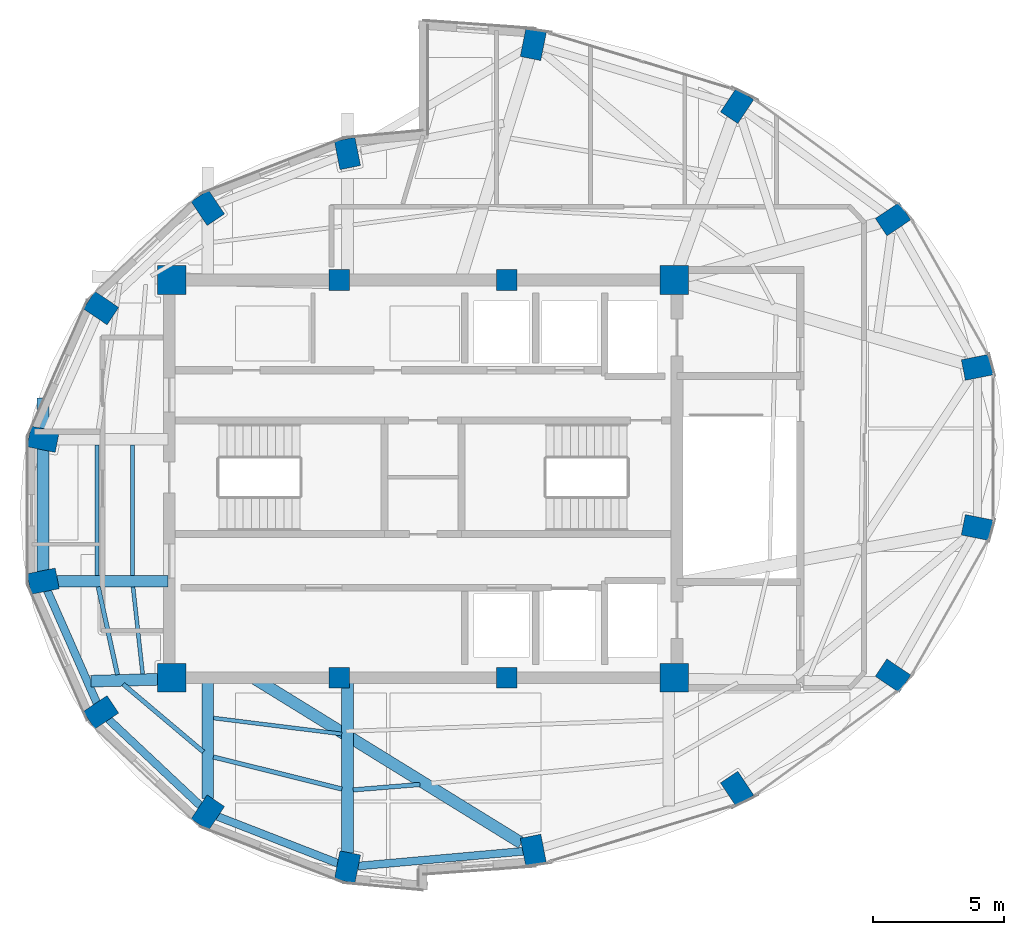
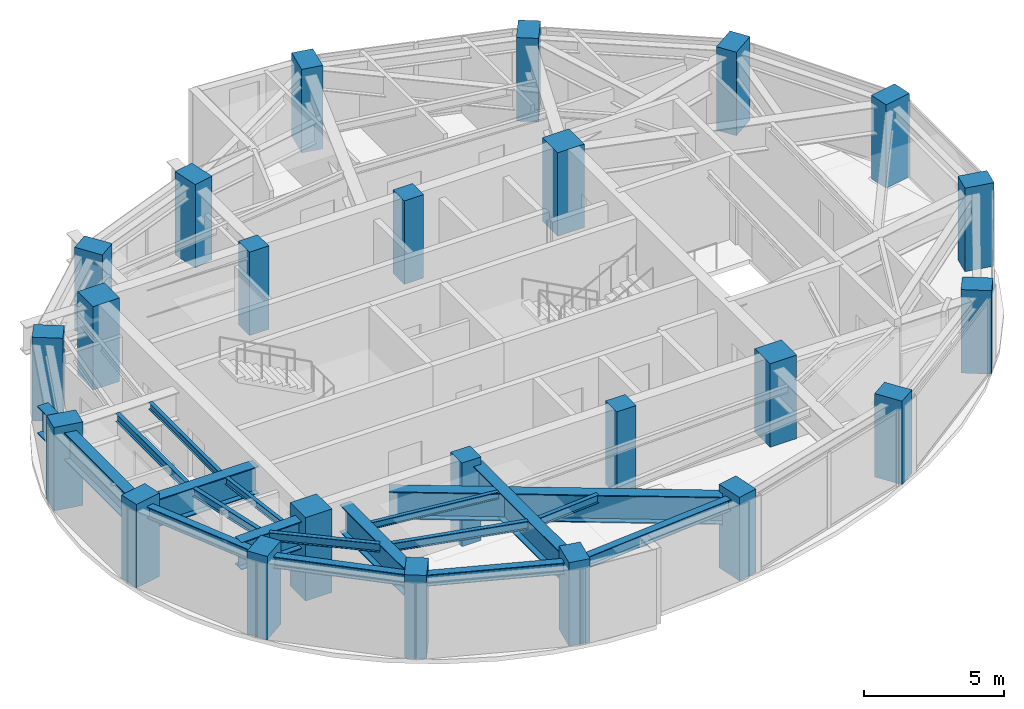
# One storey, part 1 of 13: 24 columns, 18 beams.
"""IFC4 building model written with IfcOpenShell, lengths in metres."""

from ifc_helpers import new_model, si_unit, direction, frame, origin, origin_2d, place, context, subcontext, project, spatial, rectangle, i_section, extrude, material, material_profile, profile_set, type_object, element, save


model = new_model("IFC4")

# Units and contexts
model_context = context("Model", 3, precision=1e-05, world=origin(), true_north=direction((0.0, 1.0)))
body_context = subcontext(model_context, "Body", "Model", "MODEL_VIEW")
ifc_project = project(units=[si_unit("LENGTHUNIT", "METRE"), si_unit("AREAUNIT", "SQUARE_METRE"), si_unit("VOLUMEUNIT", "CUBIC_METRE"), si_unit("PLANEANGLEUNIT", "RADIAN"), si_unit("MASSUNIT", "GRAM", prefix="KILO")], contexts=[model_context])

# Site, building, storey
site_placement = place(None, origin())
site = spatial("IfcSite", under=ifc_project, at=site_placement, CompositionType="ELEMENT")
building_placement = place(site_placement, origin())
building = spatial("IfcBuilding", under=site, at=building_placement, Name="Lazwardi Medical Tower", CompositionType="ELEMENT")
storey_placement = place(building_placement, frame((0.0, 0.0, 298.800048828125)))
storey = spatial("IfcBuildingStorey", under=building, at=storey_placement, Name="L78", CompositionType="ELEMENT", Elevation=298.800048828125)

# Columns
ifc_material_1 = material(Name="Concrete C80/95", Category="concrete")
ifc_material_profile_1 = material_profile(ifc_material_1, rectangle(XDim=1.10009765625, YDim=1.10009765625, at=origin_2d()), Name="RC 1100x1100")
ifc_profile_set_1 = profile_set([ifc_material_profile_1], Name="Concrete C80/95")
column_type_1 = type_object("IfcColumnType", Name="COL-CC-L", PredefinedType="COLUMN", material=ifc_profile_set_1)
for number, where, z_axis, x_axis, name in (
    (1, (26.39990234375, 20.39990234375, 0.0), (0.0, 0.0, 1.0), (1.0, 0.0, 0.0), "Core column CC-01 CC1 L78"),
    (2, (45.60009765625, 20.39990234375, 0.0), (0.0, 0.0, 1.0), (1.0, 0.0, 0.0), "Core column CC-01 CC4 L78"),
    (3, (45.60009765625, 35.60009765625, 0.0), (0.0, 0.0, 1.0), (1.0, 0.0, 0.0), "Core column CC-01 CC5 L78"),
    (4, (26.39990234375, 35.60009765625, 0.0), (0.0, 0.0, 1.0), (1.0, 0.0, 0.0), "Core column CC-01 CC8 L78"),
):
    element("IfcColumn", number, at=place(storey_placement, frame(where, z_axis=z_axis, x_axis=x_axis)), inside=storey, type_object=column_type_1, Name=name, PredefinedType="COLUMN", context=body_context, shape_type="SweptSolid", body=[
        extrude(rectangle(XDim=1.10009765625, YDim=1.10009765625, at=origin_2d()), origin(), (0.0, 0.0, 1.0), 3.64794921875),
    ])
ifc_material_2 = material(Name="Concrete C60/75", Category="concrete")
ifc_material_profile_2 = material_profile(ifc_material_2, rectangle(XDim=0.800048828125, YDim=0.800048828125, at=origin_2d()), Name="RC 800x800")
ifc_profile_set_2 = profile_set([ifc_material_profile_2], Name="Concrete C60/75")
column_type_2 = type_object("IfcColumnType", Name="COL-CC-U", PredefinedType="COLUMN", material=ifc_profile_set_2)
for number, where, z_axis, x_axis, name in (
    (5, (32.800048828125, 20.39990234375, 0.0), (0.0, 0.0, 1.0), (1.0, 0.0, 0.0), "Core column CC-03 CC2 L78"),
    (6, (39.199951171875, 20.39990234375, 0.0), (0.0, 0.0, 1.0), (1.0, 0.0, 0.0), "Core column CC-03 CC3 L78"),
    (7, (39.199951171875, 35.60009765625, 0.0), (0.0, 0.0, 1.0), (1.0, 0.0, 0.0), "Core column CC-03 CC6 L78"),
    (8, (32.800048828125, 35.60009765625, 0.0), (0.0, 0.0, 1.0), (1.0, 0.0, 0.0), "Core column CC-03 CC7 L78"),
):
    element("IfcColumn", number, at=place(storey_placement, frame(where, z_axis=z_axis, x_axis=x_axis)), inside=storey, type_object=column_type_2, Name=name, PredefinedType="COLUMN", context=body_context, shape_type="SweptSolid", body=[
        extrude(rectangle(XDim=0.800048828125, YDim=0.800048828125, at=origin_2d()), origin(), (0.0, 0.0, 1.0), 3.64794921875),
    ])
ifc_material_profile_3 = material_profile(ifc_material_2, rectangle(XDim=1.10009765625, YDim=0.800048828125, at=origin_2d()), Name="CFT-RECT 1100x800")
ifc_profile_set_3 = profile_set([ifc_material_profile_3], Name="Concrete C60/75")
column_type_3 = type_object("IfcColumnType", Name="COL-MC-Z4", PredefinedType="COLUMN", material=ifc_profile_set_3)
for number, where, z_axis, x_axis, name in (
    (9, (40.214111328125, 13.8017578125, 0.0), (0.0, 0.0, 1.0), (0.195090322016, -0.980785280403, 0.0), "Mega column MC-06 M01 L78"),
    (10, (48.000244140625, 16.14599609375, 0.0), (0.0, 0.0, 1.0), (0.55557023302, -0.831469612303, 0.0), "Mega column MC-06 M02 L78"),
    (11, (53.959716796875, 20.4775390625, 0.0), (0.0, 0.0, 1.0), (0.831469612303, -0.55557023302, 0.0), "Mega column MC-06 M03 L78"),
    (12, (57.18505859375, 26.13720703125, 0.0), (0.0, 0.0, 1.0), (0.980785280403, -0.195090322016, 0.0), "Mega column MC-06 M04 L78"),
    (13, (57.18505859375, 32.262939453125, 0.0), (0.0, 0.0, 1.0), (0.980785280403, 0.195090322016, 0.0), "Mega column MC-06 M05 L78"),
    (14, (53.959716796875, 37.922607421875, 0.0), (0.0, 0.0, 1.0), (0.831469612303, 0.55557023302, 0.0), "Mega column MC-06 M06 L78"),
    (15, (48.000244140625, 42.254150390625, 0.0), (0.0, 0.0, 1.0), (0.55557023302, 0.831469612303, 0.0), "Mega column MC-06 M07 L78"),
    (16, (40.214111328125, 44.598388671875, 0.0), (0.0, 0.0, 1.0), (0.195090322016, 0.980785280403, 0.0), "Mega column MC-06 M08 L78"),
    (17, (33.11279296875, 40.432861328125, 0.0), (0.0, 0.0, 1.0), (-0.195090322016, 0.980785280403, 0.0), "Mega column MC-06 M09 L78"),
    (18, (27.777587890625, 38.357421875, 0.0), (0.0, 0.0, 1.0), (-0.55557023302, 0.831469612303, 0.0), "Mega column MC-06 M10 L78"),
    (19, (23.694091796875, 34.5224609375, 0.0), (0.0, 0.0, 1.0), (-0.831469612303, 0.55557023302, 0.0), "Mega column MC-06 M11 L78"),
    (20, (21.484375, 29.51171875, 0.0), (0.0, 0.0, 1.0), (-0.980785280403, 0.195090322016, 0.0), "Mega column MC-06 M12 L78"),
    (21, (21.484375, 24.088134765625, 0.0), (0.0, 0.0, 1.0), (-0.980785280403, -0.195090322016, 0.0), "Mega column MC-06 M13 L78"),
    (22, (23.694091796875, 19.07763671875, 0.0), (0.0, 0.0, 1.0), (-0.831469612303, -0.55557023302, 0.0), "Mega column MC-06 M14 L78"),
    (23, (27.777587890625, 15.24267578125, 0.0), (0.0, 0.0, 1.0), (-0.55557023302, -0.831469612303, 0.0), "Mega column MC-06 M15 L78"),
    (24, (33.11279296875, 13.1669921875, 0.0), (0.0, 0.0, 1.0), (-0.195090322016, -0.980785280403, 0.0), "Mega column MC-06 M16 L78"),
):
    element("IfcColumn", number, at=place(storey_placement, frame(where, z_axis=z_axis, x_axis=x_axis)), inside=storey, type_object=column_type_3, Name=name, PredefinedType="COLUMN", context=body_context, shape_type="SweptSolid", body=[
        extrude(rectangle(XDim=1.10009765625, YDim=0.800048828125, at=origin_2d()), origin(), (0.0, 0.0, 1.0), 3.64794921875),
    ])

# Beams
ifc_material_3 = material(Name="Steel S355", Category="steel")
ifc_material_profile_4 = material_profile(ifc_material_3, i_section(OverallWidth=0.300048828125, OverallDepth=0.5, WebThickness=0.014404296875, FlangeThickness=0.028076171875, at=origin_2d()), Name="HEB 500")
ifc_profile_set_4 = profile_set([ifc_material_profile_4], Name="Steel S355")
beam_type_1 = type_object("IfcBeamType", Name="BM-RB-Z4", PredefinedType="BEAM", material=ifc_profile_set_4)
beam_1_placement = place(storey_placement, frame((21.641845703125, 23.7314453125, 3.077880859375), z_axis=(0.403503258239, -0.914978207713, 0.0), x_axis=(0.914978207713, 0.403503258239, 0.0)))
element("IfcBeam", 25, at=beam_1_placement, inside=storey, type_object=beam_type_1, Name="Ring beam RB-05 B13 L78", PredefinedType="BEAM", context=body_context, shape_type="SweptSolid", body=[
    extrude(i_section(OverallWidth=0.300048828125, OverallDepth=0.5, WebThickness=0.014404296875, FlangeThickness=0.028076171875, at=origin_2d()), origin(), (0.0, 0.0, 1.0), 4.696533203125),
])
beam_2_placement = place(storey_placement, frame((23.978515625, 18.810546875, 3.077880859375), z_axis=(0.728935349177, -0.684582541934, 0.0), x_axis=(0.684582541934, 0.728935349177, 0.0)))
element("IfcBeam", 26, at=beam_2_placement, inside=storey, type_object=beam_type_1, Name="Ring beam RB-05 B14 L78", PredefinedType="BEAM", context=body_context, shape_type="SweptSolid", body=[
    extrude(i_section(OverallWidth=0.300048828125, OverallDepth=0.5, WebThickness=0.014404296875, FlangeThickness=0.028076171875, at=origin_2d()), origin(), (0.0, 0.0, 1.0), 4.822021484375),
])
beam_3_placement = place(storey_placement, frame((28.14111328125, 15.101318359375, 3.077880859375), z_axis=(0.931959260109, -0.362563011761, 0.0), x_axis=(0.362563011761, 0.931959260109, 0.0)))
element("IfcBeam", 27, at=beam_3_placement, inside=storey, type_object=beam_type_1, Name="Ring beam RB-05 B15 L78", PredefinedType="BEAM", context=body_context, shape_type="SweptSolid", body=[
    extrude(i_section(OverallWidth=0.300048828125, OverallDepth=0.5, WebThickness=0.014404296875, FlangeThickness=0.028076171875, at=origin_2d()), origin(), (0.0, 0.0, 1.0), 4.944580078125),
])
beam_4_placement = place(storey_placement, frame((33.501220703125, 13.201904296875, 3.077880859375), z_axis=(0.996030403479, 0.089013680669, 0.0), x_axis=(-0.089013680669, 0.996030403479, 0.0)))
element("IfcBeam", 28, at=beam_4_placement, inside=storey, type_object=beam_type_1, Name="Ring beam RB-05 B16 L78", PredefinedType="BEAM", context=body_context, shape_type="SweptSolid", body=[
    extrude(i_section(OverallWidth=0.300048828125, OverallDepth=0.5, WebThickness=0.014404296875, FlangeThickness=0.028076171875, at=origin_2d()), origin(), (0.0, 0.0, 1.0), 6.349365234375),
])
ifc_material_profile_5 = material_profile(ifc_material_3, i_section(OverallWidth=0.169921875, OverallDepth=0.360107421875, WebThickness=0.008056640625, FlangeThickness=0.0126953125, at=origin_2d()), Name="IPE 360")
ifc_profile_set_5 = profile_set([ifc_material_profile_5], Name="Steel S355")
beam_type_2 = type_object("IfcBeamType", Name="BM-SJ-02", PredefinedType="JOIST", material=ifc_profile_set_5)
beam_5_placement = place(storey_placement, frame((23.54248046875, 29.291748046875, 3.14794921875), z_axis=(0.0, -1.0, 0.0), x_axis=(1.0, 0.0, 0.0)))
element("IfcBeam", 29, at=beam_5_placement, inside=storey, type_object=beam_type_2, Name="Secondary joist SJ-02 R1 B12 L78", PredefinedType="JOIST", context=body_context, shape_type="SweptSolid", body=[
    extrude(i_section(OverallWidth=0.169921875, OverallDepth=0.360107421875, WebThickness=0.008056640625, FlangeThickness=0.0126953125, at=origin_2d()), origin(), (0.0, 0.0, 1.0), 4.983642578125),
])
beam_6_placement = place(storey_placement, frame((23.589599609375, 23.873291015625, 3.14794921875), z_axis=(0.213834406849, -0.976869922993, 0.0), x_axis=(0.976869922993, 0.213834406849, 0.0)))
element("IfcBeam", 30, at=beam_6_placement, inside=storey, type_object=beam_type_2, Name="Secondary joist SJ-02 R1 B13 L78", PredefinedType="JOIST", context=body_context, shape_type="SweptSolid", body=[
    extrude(i_section(OverallWidth=0.169921875, OverallDepth=0.360107421875, WebThickness=0.008056640625, FlangeThickness=0.0126953125, at=origin_2d()), origin(), (0.0, 0.0, 1.0), 3.441162109375),
])
beam_7_placement = place(storey_placement, frame((24.54052734375, 20.15478515625, 3.14794921875), z_axis=(0.764314894241, -0.644843192134, 0.0), x_axis=(0.644843192134, 0.764314894241, 0.0)))
element("IfcBeam", 31, at=beam_7_placement, inside=storey, type_object=beam_type_2, Name="Secondary joist SJ-02 R1 B14 L78", PredefinedType="JOIST", context=body_context, shape_type="SweptSolid", body=[
    extrude(i_section(OverallWidth=0.169921875, OverallDepth=0.360107421875, WebThickness=0.008056640625, FlangeThickness=0.0126953125, at=origin_2d()), origin(), (0.0, 0.0, 1.0), 4.015380859375),
])
beam_8_placement = place(storey_placement, frame((27.9912109375, 17.37060546875, 3.14794921875), z_axis=(0.970366397507, -0.241638272194, 0.0), x_axis=(0.241638272194, 0.970366397507, 0.0)))
element("IfcBeam", 32, at=beam_8_placement, inside=storey, type_object=beam_type_2, Name="Secondary joist SJ-02 R1 B15 L78", PredefinedType="JOIST", context=body_context, shape_type="SweptSolid", body=[
    extrude(i_section(OverallWidth=0.169921875, OverallDepth=0.360107421875, WebThickness=0.008056640625, FlangeThickness=0.0126953125, at=origin_2d()), origin(), (0.0, 0.0, 1.0), 5.057861328125),
])
beam_9_placement = place(storey_placement, frame((33.33203125, 16.11328125, 3.14794921875), z_axis=(0.996699456555, 0.081180005565, 0.0), x_axis=(-0.081180005565, 0.996699456555, 0.0)))
element("IfcBeam", 33, at=beam_9_placement, inside=storey, type_object=beam_type_2, Name="Secondary joist SJ-02 R1 B16 L78", PredefinedType="JOIST", context=body_context, shape_type="SweptSolid", body=[
    extrude(i_section(OverallWidth=0.169921875, OverallDepth=0.360107421875, WebThickness=0.008056640625, FlangeThickness=0.0126953125, at=origin_2d()), origin(), (0.0, 0.0, 1.0), 2.556396484375),
])
ifc_material_profile_6 = material_profile(ifc_material_3, i_section(OverallWidth=0.14990234375, OverallDepth=0.300048828125, WebThickness=0.007080078125, FlangeThickness=0.0107421875, at=origin_2d()), Name="IPE 300")
ifc_profile_set_6 = profile_set([ifc_material_profile_6], Name="Steel S355")
beam_type_3 = type_object("IfcBeamType", Name="BM-SJ-03", PredefinedType="JOIST", material=ifc_profile_set_6)
beam_10_placement = place(storey_placement, frame((24.896240234375, 29.291748046875, 3.177978515625), z_axis=(0.0, -1.0, 0.0), x_axis=(1.0, 0.0, 0.0)))
element("IfcBeam", 34, at=beam_10_placement, inside=storey, type_object=beam_type_3, Name="Secondary joist SJ-03 R2 B12 L78", PredefinedType="JOIST", context=body_context, shape_type="SweptSolid", body=[
    extrude(i_section(OverallWidth=0.14990234375, OverallDepth=0.300048828125, WebThickness=0.007080078125, FlangeThickness=0.0107421875, at=origin_2d()), origin(), (0.0, 0.0, 1.0), 4.983642578125),
])
beam_11_placement = place(storey_placement, frame((24.92041015625, 23.869384765625, 3.177978515625), z_axis=(0.109542964026, -0.993982061726, 0.0), x_axis=(0.993982061726, 0.109542964026, 0.0)))
element("IfcBeam", 35, at=beam_11_placement, inside=storey, type_object=beam_type_3, Name="Secondary joist SJ-03 R2 B13 L78", PredefinedType="JOIST", context=body_context, shape_type="SweptSolid", body=[
    extrude(i_section(OverallWidth=0.14990234375, OverallDepth=0.300048828125, WebThickness=0.007080078125, FlangeThickness=0.0107421875, at=origin_2d()), origin(), (0.0, 0.0, 1.0), 3.34765625),
])
beam_12_placement = place(storey_placement, frame((27.995849609375, 18.859619140625, 3.177978515625), z_axis=(0.992338629419, -0.12354774204, 0.0), x_axis=(0.12354774204, 0.992338629419, 0.0)))
element("IfcBeam", 36, at=beam_12_placement, inside=storey, type_object=beam_type_3, Name="Secondary joist SJ-03 R2 B15 L78", PredefinedType="JOIST", context=body_context, shape_type="SweptSolid", body=[
    extrude(i_section(OverallWidth=0.14990234375, OverallDepth=0.300048828125, WebThickness=0.007080078125, FlangeThickness=0.0107421875, at=origin_2d()), origin(), (0.0, 0.0, 1.0), 4.936279296875),
])
ifc_material_4 = material(Name="Steel S460", Category="steel")
ifc_material_profile_7 = material_profile(ifc_material_4, i_section(OverallWidth=0.449951171875, OverallDepth=1.199951171875, WebThickness=0.02490234375, FlangeThickness=0.0400390625, at=origin_2d()), Name="PG 1200x450")
ifc_profile_set_7 = profile_set([ifc_material_profile_7], Name="Steel S460")
beam_type_4 = type_object("IfcBeamType", Name="BM-TG-02", PredefinedType="BEAM", material=ifc_profile_set_7)
beam_13_placement = place(storey_placement, frame((21.48388671875, 23.800048828125, 2.72802734375), z_axis=(0.0, 1.0, 0.0), x_axis=(-1.0, 0.0, 0.0)))
element("IfcBeam", 37, at=beam_13_placement, inside=storey, type_object=beam_type_4, Name="Transfer girder TG-02 west crown edge L78", PredefinedType="BEAM", context=body_context, shape_type="SweptSolid", body=[
    extrude(i_section(OverallWidth=0.449951171875, OverallDepth=1.199951171875, WebThickness=0.02490234375, FlangeThickness=0.0400390625, at=origin_2d()), origin(), (0.0, 0.0, 1.0), 7.280029296875),
])
beam_14_placement = place(storey_placement, frame((39.758544921875, 14.08251953125, 2.72802734375), z_axis=(-0.85120314063, 0.524836368197, 0.0), x_axis=(-0.524836368197, -0.85120314063, 0.0)))
element("IfcBeam", 38, at=beam_14_placement, inside=storey, type_object=beam_type_4, Name="Transfer girder TG-02 M01 L78", PredefinedType="BEAM", context=body_context, shape_type="SweptSolid", body=[
    extrude(i_section(OverallWidth=0.449951171875, OverallDepth=1.199951171875, WebThickness=0.02490234375, FlangeThickness=0.0400390625, at=origin_2d()), origin(), (0.0, 0.0, 1.0), 11.94189453125),
])
beam_15_placement = place(storey_placement, frame((22.019287109375, 24.088134765625, 2.72802734375), z_axis=(1.0, 0.0, 0.0), x_axis=(0.0, 1.0, 0.0)))
element("IfcBeam", 39, at=beam_15_placement, inside=storey, type_object=beam_type_4, Name="Transfer girder TG-02 M13 L78", PredefinedType="BEAM", context=body_context, shape_type="SweptSolid", body=[
    extrude(i_section(OverallWidth=0.449951171875, OverallDepth=1.199951171875, WebThickness=0.02490234375, FlangeThickness=0.0400390625, at=origin_2d()), origin(), (0.0, 0.0, 1.0), 4.230712890625),
])
beam_16_placement = place(storey_placement, frame((23.31640625, 20.266845703125, 2.72802734375), z_axis=(0.999597564117, 0.02836740757, 0.0), x_axis=(-0.02836740757, 0.999597564117, 0.0)))
element("IfcBeam", 40, at=beam_16_placement, inside=storey, type_object=beam_type_4, Name="Transfer girder TG-02 M14 L78", PredefinedType="BEAM", context=body_context, shape_type="SweptSolid", body=[
    extrude(i_section(OverallWidth=0.449951171875, OverallDepth=1.199951171875, WebThickness=0.02490234375, FlangeThickness=0.0400390625, at=origin_2d()), origin(), (0.0, 0.0, 1.0), 2.934814453125),
])
beam_17_placement = place(storey_placement, frame((27.777587890625, 15.777587890625, 2.72802734375), z_axis=(0.0, 1.0, 0.0), x_axis=(-1.0, 0.0, 0.0)))
element("IfcBeam", 41, at=beam_17_placement, inside=storey, type_object=beam_type_4, Name="Transfer girder TG-02 M15 L78", PredefinedType="BEAM", context=body_context, shape_type="SweptSolid", body=[
    extrude(i_section(OverallWidth=0.449951171875, OverallDepth=1.199951171875, WebThickness=0.02490234375, FlangeThickness=0.0400390625, at=origin_2d()), origin(), (0.0, 0.0, 1.0), 4.572509765625),
])
beam_18_placement = place(storey_placement, frame((33.11279296875, 13.7021484375, 2.72802734375), z_axis=(0.0, 1.0, 0.0), x_axis=(-1.0, 0.0, 0.0)))
element("IfcBeam", 42, at=beam_18_placement, inside=storey, type_object=beam_type_4, Name="Transfer girder TG-02 M16 L78", PredefinedType="BEAM", context=body_context, shape_type="SweptSolid", body=[
    extrude(i_section(OverallWidth=0.449951171875, OverallDepth=1.199951171875, WebThickness=0.02490234375, FlangeThickness=0.0400390625, at=origin_2d()), origin(), (0.0, 0.0, 1.0), 6.64794921875),
])

save(model, "model.ifc")
